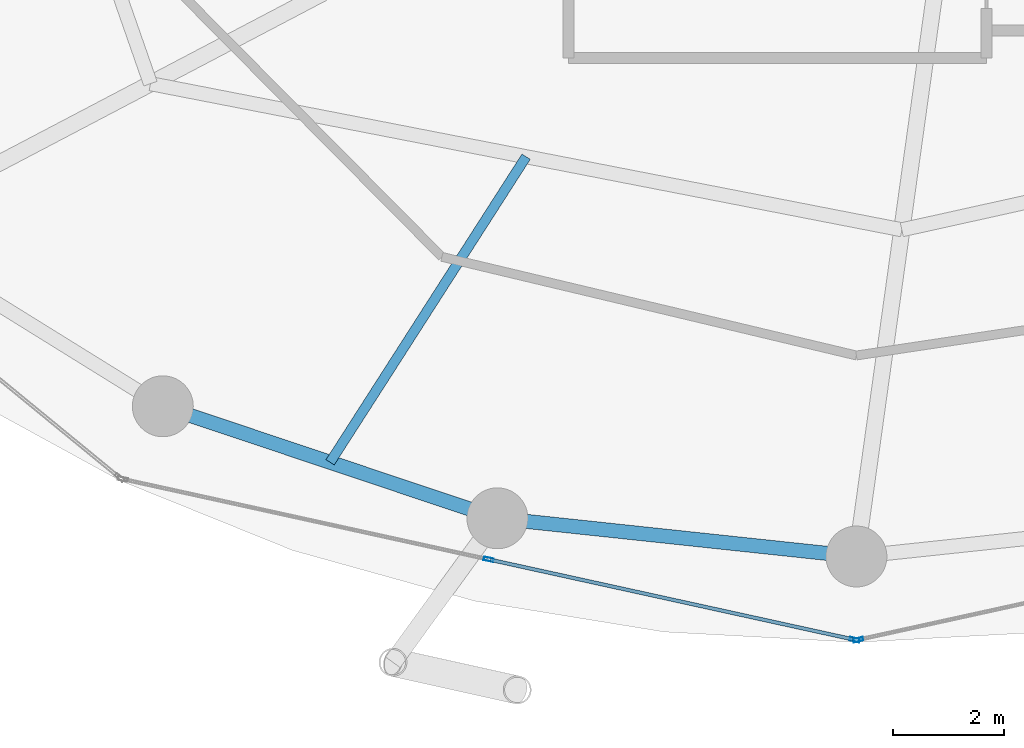
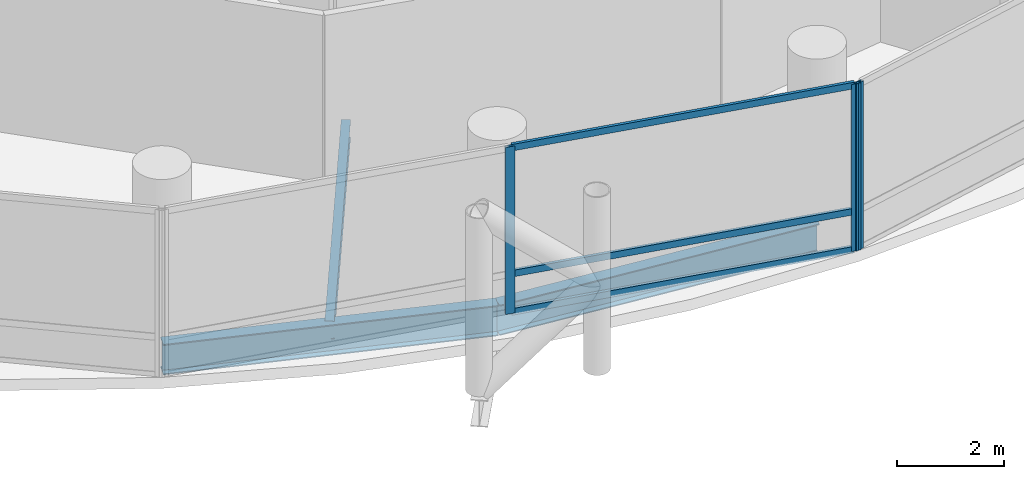
# One storey, part 4 of 24: 6 members, 3 beams, 2 elements without a shape of their own.
"""IFC4 building model written with IfcOpenShell, lengths in metres."""

from ifc_helpers import new_model, si_unit, direction, frame, origin, origin_2d, place, context, subcontext, project, spatial, hollow_rectangle, i_section, extrude, material, layer, layer_set, material_profile, profile_set, type_object, element, aggregate, save


model = new_model("IFC4")

# Units and contexts
model_context = context("Model", 3, precision=1e-05, world=origin(), true_north=direction((0.0, 1.0)))
body_context = subcontext(model_context, "Body", "Model", "MODEL_VIEW")
ifc_project = project(units=[si_unit("LENGTHUNIT", "METRE"), si_unit("AREAUNIT", "SQUARE_METRE"), si_unit("VOLUMEUNIT", "CUBIC_METRE"), si_unit("PLANEANGLEUNIT", "RADIAN"), si_unit("MASSUNIT", "GRAM", prefix="KILO")], contexts=[model_context])

# Site, building, storey
site_placement = place(None, origin())
site = spatial("IfcSite", under=ifc_project, at=site_placement, CompositionType="ELEMENT")
building_placement = place(site_placement, origin())
building = spatial("IfcBuilding", under=site, at=building_placement, Name="Nuhasar Tower", CompositionType="ELEMENT")
storey_placement = place(building_placement, frame((0.0, 0.0, 89.85009765625)))
storey = spatial("IfcBuildingStorey", under=building, at=storey_placement, Name="L21", CompositionType="ELEMENT", Elevation=89.85009765625)

# Beams
ifc_material_1 = material(Name="Steel S355", Category="steel")
ifc_material_profile_1 = material_profile(ifc_material_1, i_section(OverallWidth=0.177978515625, OverallDepth=0.406005859375, WebThickness=0.0078125, FlangeThickness=0.0126953125, at=origin_2d()), Name="W16X40")
ifc_profile_set_1 = profile_set([ifc_material_profile_1], Name="Steel S355")
beam_type_1 = type_object("IfcBeamType", Name="BM-JST-W16X40", PredefinedType="JOIST", material=ifc_profile_set_1)
beam_1_placement = place(storey_placement, frame((33.035888671875, 13.77001953125, -0.453125), z_axis=(-0.539944240715, -0.841700788237, 0.0), x_axis=(0.841700788237, -0.539944240715, 0.0)))
element("IfcBeam", 1, at=beam_1_placement, inside=storey, type_object=beam_type_1, Name="L21 Secondary Floor Joist 01", PredefinedType="JOIST", context=body_context, shape_type="SweptSolid", body=[
    extrude(i_section(OverallWidth=0.177978515625, OverallDepth=0.406005859375, WebThickness=0.0078125, FlangeThickness=0.0126953125, at=origin_2d()), origin(), (0.0, 0.0, 1.0), 6.555908203125),
])
ifc_material_profile_2 = material_profile(ifc_material_1, i_section(OverallWidth=0.256103515625, OverallDepth=0.693115234375, WebThickness=0.014404296875, FlangeThickness=0.023681640625, at=origin_2d()), Name="W27X114")
ifc_profile_set_2 = profile_set([ifc_material_profile_2], Name="Steel S355")
beam_type_2 = type_object("IfcBeamType", Name="BM-RING-W27X114", PredefinedType="SPANDREL", material=ifc_profile_set_2)
beam_2_placement = place(storey_placement, frame((26.47509765625, 9.262939453125, -0.59716796875), z_axis=(0.94826097201, -0.317491935271, 0.0), x_axis=(0.317491935271, 0.94826097201, 0.0)))
element("IfcBeam", 2, at=beam_2_placement, inside=storey, type_object=beam_type_2, Name="L21 Perimeter Ring Spandrel 17", PredefinedType="SPANDREL", context=body_context, shape_type="SweptSolid", body=[
    extrude(i_section(OverallWidth=0.256103515625, OverallDepth=0.693115234375, WebThickness=0.014404296875, FlangeThickness=0.023681640625, at=origin_2d()), origin(), (0.0, 0.0, 1.0), 6.37158203125),
])
beam_3_placement = place(storey_placement, frame((32.51708984375, 7.239990234375, -0.59716796875), z_axis=(0.994384554061, -0.105827022286, 0.0), x_axis=(0.105827022286, 0.994384554061, 0.0)))
element("IfcBeam", 3, at=beam_3_placement, inside=storey, type_object=beam_type_2, Name="L21 Perimeter Ring Spandrel 18", PredefinedType="SPANDREL", context=body_context, shape_type="SweptSolid", body=[
    extrude(i_section(OverallWidth=0.256103515625, OverallDepth=0.693115234375, WebThickness=0.014404296875, FlangeThickness=0.023681640625, at=origin_2d()), origin(), (0.0, 0.0, 1.0), 6.51953125),
])

# Curtain wall, members
ifc_material_2 = material(Name="Aluminium 6063-T6", Category="aluminium")
ifc_layer = layer(ifc_material_2, 0.199951171875)
ifc_layer_set = layer_set([ifc_layer], Name="Aluminium 6063-T6")
curtain_wall_type = type_object("IfcCurtainWallType", Name="CW-Z1-OFF", PredefinedType="NOTDEFINED", material=ifc_layer_set)
curtain_wall_1_placement = place(storey_placement, origin())
curtain_wall_1 = element("IfcCurtainWall", 4, at=curtain_wall_1_placement, inside=storey, type_object=curtain_wall_type, Name="L21 Unitised Curtain Wall 09", PredefinedType="NOTDEFINED")
ifc_material_profile_3 = material_profile(ifc_material_2, hollow_rectangle(XDim=0.06494140625, YDim=0.179931640625, WallThickness=0.0048828125, at=origin_2d()), Name="CWM-2")
ifc_profile_set_3 = profile_set([ifc_material_profile_3], Name="Aluminium 6063-T6")
member_type_1 = type_object("IfcMemberType", Name="CW-MUL-S2", PredefinedType="MULLION", material=ifc_profile_set_3)
member_1_placement = place(storey_placement, frame((32.360107421875, 6.49755859375, 0.0), z_axis=(0.0, 0.0, 1.0), x_axis=(0.214398737637, 0.976746221544, 0.0)))
member_1 = element("IfcMember", 5, at=member_1_placement, type_object=member_type_1, Name="CW-Z1 mullion 2", PredefinedType="MULLION", context=body_context, shape_type="SweptSolid", body=[
    extrude(hollow_rectangle(XDim=0.06494140625, YDim=0.179931640625, WallThickness=0.0048828125, at=origin_2d()), origin(), (0.0, 0.0, 1.0), 3.7998046875),
])
member_2_placement = place(storey_placement, frame((38.96826171875, 5.046875, 0.0), z_axis=(0.0, 0.0, 1.0), x_axis=(0.214398737637, 0.976746221544, 0.0)))
member_2 = element("IfcMember", 6, at=member_2_placement, type_object=member_type_1, Name="CW-Z1 mullion 3", PredefinedType="MULLION", context=body_context, shape_type="SweptSolid", body=[
    extrude(hollow_rectangle(XDim=0.06494140625, YDim=0.179931640625, WallThickness=0.0048828125, at=origin_2d()), origin(), (0.0, 0.0, 1.0), 3.7998046875),
])

# Curtain wall, member
curtain_wall_2_placement = place(storey_placement, origin())
curtain_wall_2 = element("IfcCurtainWall", 7, at=curtain_wall_2_placement, inside=storey, type_object=curtain_wall_type, Name="L21 Unitised Curtain Wall 10", PredefinedType="NOTDEFINED")
member_3_placement = place(storey_placement, frame((39.03173828125, 5.046875, 0.0), z_axis=(0.0, 0.0, 1.0), x_axis=(-0.214398737637, 0.976746221544, 0.0)))
member_3 = element("IfcMember", 8, at=member_3_placement, type_object=member_type_1, Name="CW-Z1 mullion 1", PredefinedType="MULLION", context=body_context, shape_type="SweptSolid", body=[
    extrude(hollow_rectangle(XDim=0.06494140625, YDim=0.179931640625, WallThickness=0.0048828125, at=origin_2d()), origin(), (0.0, 0.0, 1.0), 3.7998046875),
])
aggregate(curtain_wall_2, [member_3])

# Member
ifc_material_profile_4 = material_profile(ifc_material_2, hollow_rectangle(XDim=0.06494140625, YDim=0.14990234375, WallThickness=0.00439453125, at=origin_2d()), Name="CWT-2")
ifc_profile_set_4 = profile_set([ifc_material_profile_4], Name="Aluminium 6063-T6")
member_type_2 = type_object("IfcMemberType", Name="CW-TRN-S2", PredefinedType="USERDEFINED", material=ifc_profile_set_4)
member_4_placement = place(storey_placement, frame((32.391845703125, 6.490478515625, 0.032470703125), z_axis=(0.976747879138, -0.214391185916, 0.0), x_axis=(0.214391185916, 0.976747879138, 0.0)))
member_4 = element("IfcMember", 9, at=member_4_placement, type_object=member_type_2, Name="CW-Z1 transom 2.1", ObjectType="TRANSOM", PredefinedType="USERDEFINED", context=body_context, shape_type="SweptSolid", body=[
    extrude(hollow_rectangle(XDim=0.06494140625, YDim=0.14990234375, WallThickness=0.00439453125, at=origin_2d()), origin(), (0.0, 0.0, 1.0), 6.700439453125),
])

member_5_placement = place(storey_placement, frame((32.391845703125, 6.490478515625, 0.89990234375), z_axis=(0.976747879138, -0.214391185916, 0.0), x_axis=(0.214391185916, 0.976747879138, 0.0)))
member_5 = element("IfcMember", 10, at=member_5_placement, type_object=member_type_2, Name="CW-Z1 transom 2.2", ObjectType="TRANSOM", PredefinedType="USERDEFINED", context=body_context, shape_type="SweptSolid", body=[
    extrude(hollow_rectangle(XDim=0.06494140625, YDim=0.14990234375, WallThickness=0.00439453125, at=origin_2d()), origin(), (0.0, 0.0, 1.0), 6.700439453125),
])

member_6_placement = place(storey_placement, frame((32.391845703125, 6.490478515625, 3.767333984375), z_axis=(0.976747879138, -0.214391185916, 0.0), x_axis=(0.214391185916, 0.976747879138, 0.0)))
member_6 = element("IfcMember", 11, at=member_6_placement, type_object=member_type_2, Name="CW-Z1 transom 2.3", ObjectType="TRANSOM", PredefinedType="USERDEFINED", context=body_context, shape_type="SweptSolid", body=[
    extrude(hollow_rectangle(XDim=0.06494140625, YDim=0.14990234375, WallThickness=0.00439453125, at=origin_2d()), origin(), (0.0, 0.0, 1.0), 6.700439453125),
])

aggregate(curtain_wall_1, [member_1, member_2, member_4, member_5, member_6])

save(model, "model.ifc")
